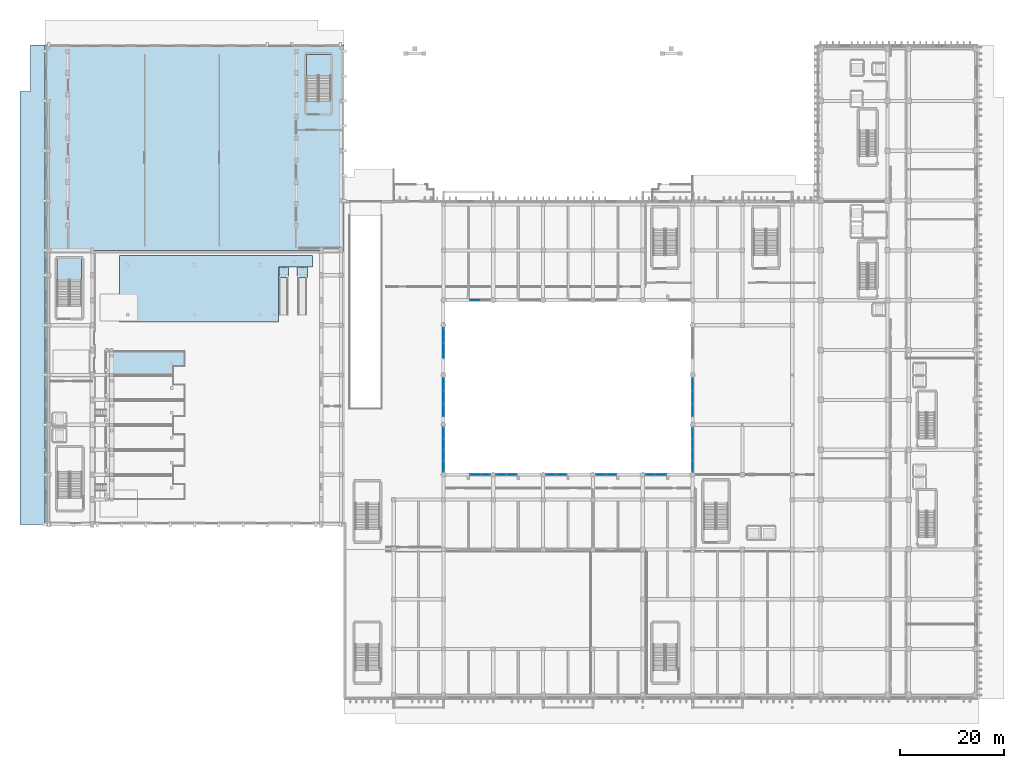
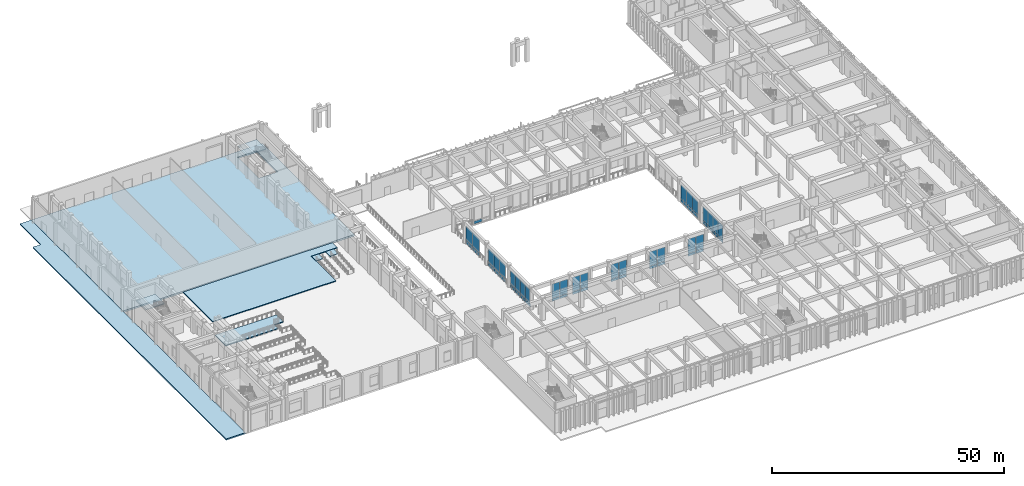
# One storey, part 38 of 87: 53 plates, 8 slabs, 15 elements without a shape of their own.
"""IFC4 building model written with IfcOpenShell, lengths in metres."""

from ifc_helpers import new_model, si_unit, direction, frame, origin, origin_2d, place, context, subcontext, project, spatial, polyline, rectangle, outline, extrude, material, layer, layer_set, type_object, element, aggregate, save


model = new_model("IFC4")

# Units and contexts
model_context = context("Model", 3, precision=1e-05, world=origin(), true_north=direction((0.0, 1.0)))
body_context = subcontext(model_context, "Body", "Model", "MODEL_VIEW")
ifc_project = project(units=[si_unit("LENGTHUNIT", "METRE"), si_unit("AREAUNIT", "SQUARE_METRE"), si_unit("VOLUMEUNIT", "CUBIC_METRE"), si_unit("PLANEANGLEUNIT", "RADIAN"), si_unit("MASSUNIT", "GRAM", prefix="KILO")], contexts=[model_context])

# Site, building, storey
site_placement = place(None, origin())
site = spatial("IfcSite", under=ifc_project, at=site_placement, CompositionType="ELEMENT")
building_placement = place(site_placement, origin())
building = spatial("IfcBuilding", under=site, at=building_placement, Name="Nakhvara Creek Congress Hotel", CompositionType="ELEMENT")
storey_placement = place(building_placement, origin())
storey = spatial("IfcBuildingStorey", under=building, at=storey_placement, Name="L00", CompositionType="ELEMENT", Elevation=0.0)

# Curtain wall, plates
ifc_material_1 = material(Name="Bronze-anodised aluminium AW-6063-T6 and double-silver low-E glass", Category="aluminium")
ifc_layer_1 = layer(ifc_material_1, 0.199951171875)
ifc_layer_set_1 = layer_set([ifc_layer_1], Name="Bronze-anodised aluminium AW-6063-T6 and double-silver low-E glass")
curtain_wall_type = type_object("IfcCurtainWallType", Name="CW-POD-STICK", PredefinedType="NOTDEFINED", material=ifc_layer_set_1)
curtain_wall_1_placement = place(storey_placement, origin())
curtain_wall_1 = element("IfcCurtainWall", 1, at=curtain_wall_1_placement, inside=storey, type_object=curtain_wall_type, Name="Curtain Wall CW001", PredefinedType="NOTDEFINED")
ifc_material_2 = material(Name="Double-silver solar-control low-E insulated glass", Category="glass")
plate_type = type_object("IfcPlateType", Name="PNL-GLZ-240X320", PredefinedType="CURTAIN_PANEL", material=ifc_material_2)
plate_1_placement = place(storey_placement, frame((82.8701171875, 43.199951171875, 0.0751953125), z_axis=(0.0, 0.0, 1.0), x_axis=(1.0, 0.0, 0.0)))
plate_1 = element("IfcPlate", 2, at=plate_1_placement, type_object=plate_type, Name="CW001 panel 1.1", PredefinedType="CURTAIN_PANEL", context=body_context, shape_type="SweptSolid", body=[
    extrude(rectangle(XDim=1.909912109375, YDim=0.031982421875, at=origin_2d()), origin(), (0.0, 0.0, 1.0), 0.737548828125),
])
plate_2_placement = place(storey_placement, frame((82.8701171875, 43.199951171875, 0.887451171875), z_axis=(0.0, 0.0, 1.0), x_axis=(1.0, 0.0, 0.0)))
plate_2 = element("IfcPlate", 3, at=plate_2_placement, type_object=plate_type, Name="CW001 panel 1.2", PredefinedType="CURTAIN_PANEL", context=body_context, shape_type="SweptSolid", body=[
    extrude(rectangle(XDim=1.909912109375, YDim=0.031982421875, at=origin_2d()), origin(), (0.0, 0.0, 1.0), 3.7294921875),
])
plate_3_placement = place(storey_placement, frame((84.85498046875, 43.199951171875, 0.0751953125), z_axis=(0.0, 0.0, 1.0), x_axis=(1.0, 0.0, 0.0)))
plate_3 = element("IfcPlate", 4, at=plate_3_placement, type_object=plate_type, Name="CW001 panel 2.1", PredefinedType="CURTAIN_PANEL", context=body_context, shape_type="SweptSolid", body=[
    extrude(rectangle(XDim=1.909912109375, YDim=0.031982421875, at=origin_2d()), origin(), (0.0, 0.0, 1.0), 0.737548828125),
])
plate_4_placement = place(storey_placement, frame((84.85498046875, 43.199951171875, 0.887451171875), z_axis=(0.0, 0.0, 1.0), x_axis=(1.0, 0.0, 0.0)))
plate_4 = element("IfcPlate", 5, at=plate_4_placement, type_object=plate_type, Name="CW001 panel 2.2", PredefinedType="CURTAIN_PANEL", context=body_context, shape_type="SweptSolid", body=[
    extrude(rectangle(XDim=1.909912109375, YDim=0.031982421875, at=origin_2d()), origin(), (0.0, 0.0, 1.0), 3.7294921875),
])
aggregate(curtain_wall_1, [plate_1, plate_2, plate_3, plate_4])

# Curtain wall, plate
curtain_wall_2_placement = place(storey_placement, origin())
curtain_wall_2 = element("IfcCurtainWall", 6, at=curtain_wall_2_placement, inside=storey, type_object=curtain_wall_type, Name="Curtain Wall CW002", PredefinedType="NOTDEFINED")
plate_5_placement = place(storey_placement, frame((82.8701171875, 76.800048828125, 0.0751953125), z_axis=(0.0, 0.0, 1.0), x_axis=(-1.0, 0.0, 0.0)))
plate_5 = element("IfcPlate", 7, at=plate_5_placement, type_object=plate_type, Name="CW002 panel 2.1", PredefinedType="CURTAIN_PANEL", context=body_context, shape_type="SweptSolid", body=[
    extrude(rectangle(XDim=1.909912109375, YDim=0.031982421875, at=origin_2d()), origin(), (0.0, 0.0, 1.0), 0.737548828125),
])
aggregate(curtain_wall_2, [plate_5])

# Curtain wall, plates
curtain_wall_3_placement = place(storey_placement, origin())
curtain_wall_3 = element("IfcCurtainWall", 8, at=curtain_wall_3_placement, inside=storey, type_object=curtain_wall_type, Name="Curtain Wall CW003", PredefinedType="NOTDEFINED")
plate_6_placement = place(storey_placement, frame((87.945068359375, 43.199951171875, 0.0751953125), z_axis=(0.0, 0.0, 1.0), x_axis=(1.0, 0.0, 0.0)))
plate_6 = element("IfcPlate", 9, at=plate_6_placement, type_object=plate_type, Name="CW003 panel 1.1", PredefinedType="CURTAIN_PANEL", context=body_context, shape_type="SweptSolid", body=[
    extrude(rectangle(XDim=1.909912109375, YDim=0.031982421875, at=origin_2d()), origin(), (0.0, 0.0, 1.0), 0.737548828125),
])
plate_7_placement = place(storey_placement, frame((87.945068359375, 43.199951171875, 0.887451171875), z_axis=(0.0, 0.0, 1.0), x_axis=(1.0, 0.0, 0.0)))
plate_7 = element("IfcPlate", 10, at=plate_7_placement, type_object=plate_type, Name="CW003 panel 1.2", PredefinedType="CURTAIN_PANEL", context=body_context, shape_type="SweptSolid", body=[
    extrude(rectangle(XDim=1.909912109375, YDim=0.031982421875, at=origin_2d()), origin(), (0.0, 0.0, 1.0), 3.7294921875),
])
plate_8_placement = place(storey_placement, frame((89.929931640625, 43.199951171875, 0.0751953125), z_axis=(0.0, 0.0, 1.0), x_axis=(1.0, 0.0, 0.0)))
plate_8 = element("IfcPlate", 11, at=plate_8_placement, type_object=plate_type, Name="CW003 panel 2.1", PredefinedType="CURTAIN_PANEL", context=body_context, shape_type="SweptSolid", body=[
    extrude(rectangle(XDim=1.909912109375, YDim=0.031982421875, at=origin_2d()), origin(), (0.0, 0.0, 1.0), 0.737548828125),
])
plate_9_placement = place(storey_placement, frame((89.929931640625, 43.199951171875, 0.887451171875), z_axis=(0.0, 0.0, 1.0), x_axis=(1.0, 0.0, 0.0)))
plate_9 = element("IfcPlate", 12, at=plate_9_placement, type_object=plate_type, Name="CW003 panel 2.2", PredefinedType="CURTAIN_PANEL", context=body_context, shape_type="SweptSolid", body=[
    extrude(rectangle(XDim=1.909912109375, YDim=0.031982421875, at=origin_2d()), origin(), (0.0, 0.0, 1.0), 3.7294921875),
])
aggregate(curtain_wall_3, [plate_6, plate_7, plate_8, plate_9])

curtain_wall_4_placement = place(storey_placement, origin())
curtain_wall_4 = element("IfcCurtainWall", 13, at=curtain_wall_4_placement, inside=storey, type_object=curtain_wall_type, Name="Curtain Wall CW005", PredefinedType="NOTDEFINED")
plate_10_placement = place(storey_placement, frame((97.544921875, 43.199951171875, 0.0751953125), z_axis=(0.0, 0.0, 1.0), x_axis=(1.0, 0.0, 0.0)))
plate_10 = element("IfcPlate", 14, at=plate_10_placement, type_object=plate_type, Name="CW005 panel 1.1", PredefinedType="CURTAIN_PANEL", context=body_context, shape_type="SweptSolid", body=[
    extrude(rectangle(XDim=1.909912109375, YDim=0.031982421875, at=origin_2d()), origin(), (0.0, 0.0, 1.0), 0.737548828125),
])
plate_11_placement = place(storey_placement, frame((97.544921875, 43.199951171875, 0.887451171875), z_axis=(0.0, 0.0, 1.0), x_axis=(1.0, 0.0, 0.0)))
plate_11 = element("IfcPlate", 15, at=plate_11_placement, type_object=plate_type, Name="CW005 panel 1.2", PredefinedType="CURTAIN_PANEL", context=body_context, shape_type="SweptSolid", body=[
    extrude(rectangle(XDim=1.909912109375, YDim=0.031982421875, at=origin_2d()), origin(), (0.0, 0.0, 1.0), 3.7294921875),
])
plate_12_placement = place(storey_placement, frame((99.530029296875, 43.199951171875, 0.0751953125), z_axis=(0.0, 0.0, 1.0), x_axis=(1.0, 0.0, 0.0)))
plate_12 = element("IfcPlate", 16, at=plate_12_placement, type_object=plate_type, Name="CW005 panel 2.1", PredefinedType="CURTAIN_PANEL", context=body_context, shape_type="SweptSolid", body=[
    extrude(rectangle(XDim=1.909912109375, YDim=0.031982421875, at=origin_2d()), origin(), (0.0, 0.0, 1.0), 0.737548828125),
])
plate_13_placement = place(storey_placement, frame((99.530029296875, 43.199951171875, 0.887451171875), z_axis=(0.0, 0.0, 1.0), x_axis=(1.0, 0.0, 0.0)))
plate_13 = element("IfcPlate", 17, at=plate_13_placement, type_object=plate_type, Name="CW005 panel 2.2", PredefinedType="CURTAIN_PANEL", context=body_context, shape_type="SweptSolid", body=[
    extrude(rectangle(XDim=1.909912109375, YDim=0.031982421875, at=origin_2d()), origin(), (0.0, 0.0, 1.0), 3.7294921875),
])
aggregate(curtain_wall_4, [plate_10, plate_11, plate_12, plate_13])

curtain_wall_5_placement = place(storey_placement, origin())
curtain_wall_5 = element("IfcCurtainWall", 18, at=curtain_wall_5_placement, inside=storey, type_object=curtain_wall_type, Name="Curtain Wall CW007", PredefinedType="NOTDEFINED")
plate_14_placement = place(storey_placement, frame((107.14501953125, 43.199951171875, 0.0751953125), z_axis=(0.0, 0.0, 1.0), x_axis=(1.0, 0.0, 0.0)))
plate_14 = element("IfcPlate", 19, at=plate_14_placement, type_object=plate_type, Name="CW007 panel 1.1", PredefinedType="CURTAIN_PANEL", context=body_context, shape_type="SweptSolid", body=[
    extrude(rectangle(XDim=1.909912109375, YDim=0.031982421875, at=origin_2d()), origin(), (0.0, 0.0, 1.0), 0.737548828125),
])
plate_15_placement = place(storey_placement, frame((107.14501953125, 43.199951171875, 0.887451171875), z_axis=(0.0, 0.0, 1.0), x_axis=(1.0, 0.0, 0.0)))
plate_15 = element("IfcPlate", 20, at=plate_15_placement, type_object=plate_type, Name="CW007 panel 1.2", PredefinedType="CURTAIN_PANEL", context=body_context, shape_type="SweptSolid", body=[
    extrude(rectangle(XDim=1.909912109375, YDim=0.031982421875, at=origin_2d()), origin(), (0.0, 0.0, 1.0), 3.7294921875),
])
plate_16_placement = place(storey_placement, frame((109.1298828125, 43.199951171875, 0.0751953125), z_axis=(0.0, 0.0, 1.0), x_axis=(1.0, 0.0, 0.0)))
plate_16 = element("IfcPlate", 21, at=plate_16_placement, type_object=plate_type, Name="CW007 panel 2.1", PredefinedType="CURTAIN_PANEL", context=body_context, shape_type="SweptSolid", body=[
    extrude(rectangle(XDim=1.909912109375, YDim=0.031982421875, at=origin_2d()), origin(), (0.0, 0.0, 1.0), 0.737548828125),
])
plate_17_placement = place(storey_placement, frame((109.1298828125, 43.199951171875, 0.887451171875), z_axis=(0.0, 0.0, 1.0), x_axis=(1.0, 0.0, 0.0)))
plate_17 = element("IfcPlate", 22, at=plate_17_placement, type_object=plate_type, Name="CW007 panel 2.2", PredefinedType="CURTAIN_PANEL", context=body_context, shape_type="SweptSolid", body=[
    extrude(rectangle(XDim=1.909912109375, YDim=0.031982421875, at=origin_2d()), origin(), (0.0, 0.0, 1.0), 3.7294921875),
])
aggregate(curtain_wall_5, [plate_14, plate_15, plate_16, plate_17])

curtain_wall_6_placement = place(storey_placement, origin())
curtain_wall_6 = element("IfcCurtainWall", 23, at=curtain_wall_6_placement, inside=storey, type_object=curtain_wall_type, Name="Curtain Wall CW009", PredefinedType="NOTDEFINED")
plate_18_placement = place(storey_placement, frame((116.7451171875, 43.199951171875, 0.0751953125), z_axis=(0.0, 0.0, 1.0), x_axis=(1.0, 0.0, 0.0)))
plate_18 = element("IfcPlate", 24, at=plate_18_placement, type_object=plate_type, Name="CW009 panel 1.1", PredefinedType="CURTAIN_PANEL", context=body_context, shape_type="SweptSolid", body=[
    extrude(rectangle(XDim=1.909912109375, YDim=0.031982421875, at=origin_2d()), origin(), (0.0, 0.0, 1.0), 0.737548828125),
])
plate_19_placement = place(storey_placement, frame((116.7451171875, 43.199951171875, 0.887451171875), z_axis=(0.0, 0.0, 1.0), x_axis=(1.0, 0.0, 0.0)))
plate_19 = element("IfcPlate", 25, at=plate_19_placement, type_object=plate_type, Name="CW009 panel 1.2", PredefinedType="CURTAIN_PANEL", context=body_context, shape_type="SweptSolid", body=[
    extrude(rectangle(XDim=1.909912109375, YDim=0.031982421875, at=origin_2d()), origin(), (0.0, 0.0, 1.0), 3.7294921875),
])
plate_20_placement = place(storey_placement, frame((118.72998046875, 43.199951171875, 0.0751953125), z_axis=(0.0, 0.0, 1.0), x_axis=(1.0, 0.0, 0.0)))
plate_20 = element("IfcPlate", 26, at=plate_20_placement, type_object=plate_type, Name="CW009 panel 2.1", PredefinedType="CURTAIN_PANEL", context=body_context, shape_type="SweptSolid", body=[
    extrude(rectangle(XDim=1.909912109375, YDim=0.031982421875, at=origin_2d()), origin(), (0.0, 0.0, 1.0), 0.737548828125),
])
plate_21_placement = place(storey_placement, frame((118.72998046875, 43.199951171875, 0.887451171875), z_axis=(0.0, 0.0, 1.0), x_axis=(1.0, 0.0, 0.0)))
plate_21 = element("IfcPlate", 27, at=plate_21_placement, type_object=plate_type, Name="CW009 panel 2.2", PredefinedType="CURTAIN_PANEL", context=body_context, shape_type="SweptSolid", body=[
    extrude(rectangle(XDim=1.909912109375, YDim=0.031982421875, at=origin_2d()), origin(), (0.0, 0.0, 1.0), 3.7294921875),
])
aggregate(curtain_wall_6, [plate_18, plate_19, plate_20, plate_21])

curtain_wall_7_placement = place(storey_placement, origin())
curtain_wall_7 = element("IfcCurtainWall", 28, at=curtain_wall_7_placement, inside=storey, type_object=curtain_wall_type, Name="Curtain Wall CW011", PredefinedType="NOTDEFINED")
plate_22_placement = place(storey_placement, frame((76.800048828125, 51.195068359375, 0.0751953125), z_axis=(0.0, 0.0, 1.0), x_axis=(0.0, -1.0, 0.0)))
plate_22 = element("IfcPlate", 29, at=plate_22_placement, type_object=plate_type, Name="CW011 panel 1.1", PredefinedType="CURTAIN_PANEL", context=body_context, shape_type="SweptSolid", body=[
    extrude(rectangle(XDim=2.030029296875, YDim=0.031982421875, at=origin_2d()), origin(), (0.0, 0.0, 1.0), 0.737548828125),
])
plate_23_placement = place(storey_placement, frame((76.800048828125, 51.195068359375, 0.887451171875), z_axis=(0.0, 0.0, 1.0), x_axis=(0.0, -1.0, 0.0)))
plate_23 = element("IfcPlate", 30, at=plate_23_placement, type_object=plate_type, Name="CW011 panel 1.2", PredefinedType="CURTAIN_PANEL", context=body_context, shape_type="SweptSolid", body=[
    extrude(rectangle(XDim=2.030029296875, YDim=0.031982421875, at=origin_2d()), origin(), (0.0, 0.0, 1.0), 3.7294921875),
])
plate_24_placement = place(storey_placement, frame((76.800048828125, 49.0712890625, 0.0751953125), z_axis=(0.0, 0.0, 1.0), x_axis=(0.0, -1.0, 0.0)))
plate_24 = element("IfcPlate", 31, at=plate_24_placement, type_object=plate_type, Name="CW011 panel 2.1", PredefinedType="CURTAIN_PANEL", context=body_context, shape_type="SweptSolid", body=[
    extrude(rectangle(XDim=2.0673828125, YDim=0.031982421875, at=origin_2d()), origin(), (0.0, 0.0, 1.0), 0.737548828125),
])
plate_25_placement = place(storey_placement, frame((76.800048828125, 49.0712890625, 0.887451171875), z_axis=(0.0, 0.0, 1.0), x_axis=(0.0, -1.0, 0.0)))
plate_25 = element("IfcPlate", 32, at=plate_25_placement, type_object=plate_type, Name="CW011 panel 2.2", PredefinedType="CURTAIN_PANEL", context=body_context, shape_type="SweptSolid", body=[
    extrude(rectangle(XDim=2.0673828125, YDim=0.031982421875, at=origin_2d()), origin(), (0.0, 0.0, 1.0), 3.7294921875),
])
plate_26_placement = place(storey_placement, frame((76.800048828125, 46.9287109375, 0.0751953125), z_axis=(0.0, 0.0, 1.0), x_axis=(0.0, -1.0, 0.0)))
plate_26 = element("IfcPlate", 33, at=plate_26_placement, type_object=plate_type, Name="CW011 panel 3.1", PredefinedType="CURTAIN_PANEL", context=body_context, shape_type="SweptSolid", body=[
    extrude(rectangle(XDim=2.0673828125, YDim=0.031982421875, at=origin_2d()), origin(), (0.0, 0.0, 1.0), 0.737548828125),
])
plate_27_placement = place(storey_placement, frame((76.800048828125, 46.9287109375, 0.887451171875), z_axis=(0.0, 0.0, 1.0), x_axis=(0.0, -1.0, 0.0)))
plate_27 = element("IfcPlate", 34, at=plate_27_placement, type_object=plate_type, Name="CW011 panel 3.2", PredefinedType="CURTAIN_PANEL", context=body_context, shape_type="SweptSolid", body=[
    extrude(rectangle(XDim=2.0673828125, YDim=0.031982421875, at=origin_2d()), origin(), (0.0, 0.0, 1.0), 3.7294921875),
])
plate_28_placement = place(storey_placement, frame((76.800048828125, 44.804931640625, 0.0751953125), z_axis=(0.0, 0.0, 1.0), x_axis=(0.0, -1.0, 0.0)))
plate_28 = element("IfcPlate", 35, at=plate_28_placement, type_object=plate_type, Name="CW011 panel 4.1", PredefinedType="CURTAIN_PANEL", context=body_context, shape_type="SweptSolid", body=[
    extrude(rectangle(XDim=2.030029296875, YDim=0.031982421875, at=origin_2d()), origin(), (0.0, 0.0, 1.0), 0.737548828125),
])
plate_29_placement = place(storey_placement, frame((76.800048828125, 44.804931640625, 0.887451171875), z_axis=(0.0, 0.0, 1.0), x_axis=(0.0, -1.0, 0.0)))
plate_29 = element("IfcPlate", 36, at=plate_29_placement, type_object=plate_type, Name="CW011 panel 4.2", PredefinedType="CURTAIN_PANEL", context=body_context, shape_type="SweptSolid", body=[
    extrude(rectangle(XDim=2.030029296875, YDim=0.031982421875, at=origin_2d()), origin(), (0.0, 0.0, 1.0), 3.7294921875),
])
aggregate(curtain_wall_7, [plate_22, plate_23, plate_24, plate_25, plate_26, plate_27, plate_28, plate_29])

curtain_wall_8_placement = place(storey_placement, origin())
curtain_wall_8 = element("IfcCurtainWall", 37, at=curtain_wall_8_placement, inside=storey, type_object=curtain_wall_type, Name="Curtain Wall CW012", PredefinedType="NOTDEFINED")
plate_30_placement = place(storey_placement, frame((124.800048828125, 44.804931640625, 0.0751953125), z_axis=(0.0, 0.0, 1.0), x_axis=(0.0, 1.0, 0.0)))
plate_30 = element("IfcPlate", 38, at=plate_30_placement, type_object=plate_type, Name="CW012 panel 1.1", PredefinedType="CURTAIN_PANEL", context=body_context, shape_type="SweptSolid", body=[
    extrude(rectangle(XDim=2.030029296875, YDim=0.031982421875, at=origin_2d()), origin(), (0.0, 0.0, 1.0), 0.737548828125),
])
plate_31_placement = place(storey_placement, frame((124.800048828125, 44.804931640625, 0.887451171875), z_axis=(0.0, 0.0, 1.0), x_axis=(0.0, 1.0, 0.0)))
plate_31 = element("IfcPlate", 39, at=plate_31_placement, type_object=plate_type, Name="CW012 panel 1.2", PredefinedType="CURTAIN_PANEL", context=body_context, shape_type="SweptSolid", body=[
    extrude(rectangle(XDim=2.030029296875, YDim=0.031982421875, at=origin_2d()), origin(), (0.0, 0.0, 1.0), 3.7294921875),
])
plate_32_placement = place(storey_placement, frame((124.800048828125, 46.9287109375, 0.0751953125), z_axis=(0.0, 0.0, 1.0), x_axis=(0.0, 1.0, 0.0)))
plate_32 = element("IfcPlate", 40, at=plate_32_placement, type_object=plate_type, Name="CW012 panel 2.1", PredefinedType="CURTAIN_PANEL", context=body_context, shape_type="SweptSolid", body=[
    extrude(rectangle(XDim=2.0673828125, YDim=0.031982421875, at=origin_2d()), origin(), (0.0, 0.0, 1.0), 0.737548828125),
])
plate_33_placement = place(storey_placement, frame((124.800048828125, 46.9287109375, 0.887451171875), z_axis=(0.0, 0.0, 1.0), x_axis=(0.0, 1.0, 0.0)))
plate_33 = element("IfcPlate", 41, at=plate_33_placement, type_object=plate_type, Name="CW012 panel 2.2", PredefinedType="CURTAIN_PANEL", context=body_context, shape_type="SweptSolid", body=[
    extrude(rectangle(XDim=2.0673828125, YDim=0.031982421875, at=origin_2d()), origin(), (0.0, 0.0, 1.0), 3.7294921875),
])
plate_34_placement = place(storey_placement, frame((124.800048828125, 49.0712890625, 0.0751953125), z_axis=(0.0, 0.0, 1.0), x_axis=(0.0, 1.0, 0.0)))
plate_34 = element("IfcPlate", 42, at=plate_34_placement, type_object=plate_type, Name="CW012 panel 3.1", PredefinedType="CURTAIN_PANEL", context=body_context, shape_type="SweptSolid", body=[
    extrude(rectangle(XDim=2.0673828125, YDim=0.031982421875, at=origin_2d()), origin(), (0.0, 0.0, 1.0), 0.737548828125),
])
plate_35_placement = place(storey_placement, frame((124.800048828125, 49.0712890625, 0.887451171875), z_axis=(0.0, 0.0, 1.0), x_axis=(0.0, 1.0, 0.0)))
plate_35 = element("IfcPlate", 43, at=plate_35_placement, type_object=plate_type, Name="CW012 panel 3.2", PredefinedType="CURTAIN_PANEL", context=body_context, shape_type="SweptSolid", body=[
    extrude(rectangle(XDim=2.0673828125, YDim=0.031982421875, at=origin_2d()), origin(), (0.0, 0.0, 1.0), 3.7294921875),
])
plate_36_placement = place(storey_placement, frame((124.800048828125, 51.195068359375, 0.0751953125), z_axis=(0.0, 0.0, 1.0), x_axis=(0.0, 1.0, 0.0)))
plate_36 = element("IfcPlate", 44, at=plate_36_placement, type_object=plate_type, Name="CW012 panel 4.1", PredefinedType="CURTAIN_PANEL", context=body_context, shape_type="SweptSolid", body=[
    extrude(rectangle(XDim=2.030029296875, YDim=0.031982421875, at=origin_2d()), origin(), (0.0, 0.0, 1.0), 0.737548828125),
])
plate_37_placement = place(storey_placement, frame((124.800048828125, 51.195068359375, 0.887451171875), z_axis=(0.0, 0.0, 1.0), x_axis=(0.0, 1.0, 0.0)))
plate_37 = element("IfcPlate", 45, at=plate_37_placement, type_object=plate_type, Name="CW012 panel 4.2", PredefinedType="CURTAIN_PANEL", context=body_context, shape_type="SweptSolid", body=[
    extrude(rectangle(XDim=2.030029296875, YDim=0.031982421875, at=origin_2d()), origin(), (0.0, 0.0, 1.0), 3.7294921875),
])
aggregate(curtain_wall_8, [plate_30, plate_31, plate_32, plate_33, plate_34, plate_35, plate_36, plate_37])

curtain_wall_9_placement = place(storey_placement, origin())
curtain_wall_9 = element("IfcCurtainWall", 46, at=curtain_wall_9_placement, inside=storey, type_object=curtain_wall_type, Name="Curtain Wall CW013", PredefinedType="NOTDEFINED")
plate_38_placement = place(storey_placement, frame((76.800048828125, 60.61865234375, 0.0751953125), z_axis=(0.0, 0.0, 1.0), x_axis=(0.0, -1.0, 0.0)))
plate_38 = element("IfcPlate", 47, at=plate_38_placement, type_object=plate_type, Name="CW013 panel 1.1", PredefinedType="CURTAIN_PANEL", context=body_context, shape_type="SweptSolid", body=[
    extrude(rectangle(XDim=2.382568359375, YDim=0.031982421875, at=origin_2d()), origin(), (0.0, 0.0, 1.0), 0.737548828125),
])
plate_39_placement = place(storey_placement, frame((76.800048828125, 60.61865234375, 0.887451171875), z_axis=(0.0, 0.0, 1.0), x_axis=(0.0, -1.0, 0.0)))
plate_39 = element("IfcPlate", 48, at=plate_39_placement, type_object=plate_type, Name="CW013 panel 1.2", PredefinedType="CURTAIN_PANEL", context=body_context, shape_type="SweptSolid", body=[
    extrude(rectangle(XDim=2.382568359375, YDim=0.031982421875, at=origin_2d()), origin(), (0.0, 0.0, 1.0), 3.7294921875),
])
plate_40_placement = place(storey_placement, frame((76.800048828125, 58.142578125, 0.0751953125), z_axis=(0.0, 0.0, 1.0), x_axis=(0.0, -1.0, 0.0)))
plate_40 = element("IfcPlate", 49, at=plate_40_placement, type_object=plate_type, Name="CW013 panel 2.1", PredefinedType="CURTAIN_PANEL", context=body_context, shape_type="SweptSolid", body=[
    extrude(rectangle(XDim=2.419921875, YDim=0.031982421875, at=origin_2d()), origin(), (0.0, 0.0, 1.0), 0.737548828125),
])
plate_41_placement = place(storey_placement, frame((76.800048828125, 58.142578125, 0.887451171875), z_axis=(0.0, 0.0, 1.0), x_axis=(0.0, -1.0, 0.0)))
plate_41 = element("IfcPlate", 50, at=plate_41_placement, type_object=plate_type, Name="CW013 panel 2.2", PredefinedType="CURTAIN_PANEL", context=body_context, shape_type="SweptSolid", body=[
    extrude(rectangle(XDim=2.419921875, YDim=0.031982421875, at=origin_2d()), origin(), (0.0, 0.0, 1.0), 3.7294921875),
])
plate_42_placement = place(storey_placement, frame((76.800048828125, 55.666259765625, 0.0751953125), z_axis=(0.0, 0.0, 1.0), x_axis=(0.0, -1.0, 0.0)))
plate_42 = element("IfcPlate", 51, at=plate_42_placement, type_object=plate_type, Name="CW013 panel 3.1", PredefinedType="CURTAIN_PANEL", context=body_context, shape_type="SweptSolid", body=[
    extrude(rectangle(XDim=2.382568359375, YDim=0.031982421875, at=origin_2d()), origin(), (0.0, 0.0, 1.0), 0.737548828125),
])
plate_43_placement = place(storey_placement, frame((76.800048828125, 55.666259765625, 0.887451171875), z_axis=(0.0, 0.0, 1.0), x_axis=(0.0, -1.0, 0.0)))
plate_43 = element("IfcPlate", 52, at=plate_43_placement, type_object=plate_type, Name="CW013 panel 3.2", PredefinedType="CURTAIN_PANEL", context=body_context, shape_type="SweptSolid", body=[
    extrude(rectangle(XDim=2.382568359375, YDim=0.031982421875, at=origin_2d()), origin(), (0.0, 0.0, 1.0), 3.7294921875),
])
aggregate(curtain_wall_9, [plate_38, plate_39, plate_40, plate_41, plate_42, plate_43])

curtain_wall_10_placement = place(storey_placement, origin())
curtain_wall_10 = element("IfcCurtainWall", 53, at=curtain_wall_10_placement, inside=storey, type_object=curtain_wall_type, Name="Curtain Wall CW014", PredefinedType="NOTDEFINED")
plate_44_placement = place(storey_placement, frame((124.800048828125, 55.666259765625, 0.0751953125), z_axis=(0.0, 0.0, 1.0), x_axis=(0.0, 1.0, 0.0)))
plate_44 = element("IfcPlate", 54, at=plate_44_placement, type_object=plate_type, Name="CW014 panel 1.1", PredefinedType="CURTAIN_PANEL", context=body_context, shape_type="SweptSolid", body=[
    extrude(rectangle(XDim=2.382568359375, YDim=0.031982421875, at=origin_2d()), origin(), (0.0, 0.0, 1.0), 0.737548828125),
])
plate_45_placement = place(storey_placement, frame((124.800048828125, 55.666259765625, 0.887451171875), z_axis=(0.0, 0.0, 1.0), x_axis=(0.0, 1.0, 0.0)))
plate_45 = element("IfcPlate", 55, at=plate_45_placement, type_object=plate_type, Name="CW014 panel 1.2", PredefinedType="CURTAIN_PANEL", context=body_context, shape_type="SweptSolid", body=[
    extrude(rectangle(XDim=2.382568359375, YDim=0.031982421875, at=origin_2d()), origin(), (0.0, 0.0, 1.0), 3.7294921875),
])
plate_46_placement = place(storey_placement, frame((124.800048828125, 58.142578125, 0.0751953125), z_axis=(0.0, 0.0, 1.0), x_axis=(0.0, 1.0, 0.0)))
plate_46 = element("IfcPlate", 56, at=plate_46_placement, type_object=plate_type, Name="CW014 panel 2.1", PredefinedType="CURTAIN_PANEL", context=body_context, shape_type="SweptSolid", body=[
    extrude(rectangle(XDim=2.419921875, YDim=0.031982421875, at=origin_2d()), origin(), (0.0, 0.0, 1.0), 0.737548828125),
])
plate_47_placement = place(storey_placement, frame((124.800048828125, 58.142578125, 0.887451171875), z_axis=(0.0, 0.0, 1.0), x_axis=(0.0, 1.0, 0.0)))
plate_47 = element("IfcPlate", 57, at=plate_47_placement, type_object=plate_type, Name="CW014 panel 2.2", PredefinedType="CURTAIN_PANEL", context=body_context, shape_type="SweptSolid", body=[
    extrude(rectangle(XDim=2.419921875, YDim=0.031982421875, at=origin_2d()), origin(), (0.0, 0.0, 1.0), 3.7294921875),
])
plate_48_placement = place(storey_placement, frame((124.800048828125, 60.61865234375, 0.0751953125), z_axis=(0.0, 0.0, 1.0), x_axis=(0.0, 1.0, 0.0)))
plate_48 = element("IfcPlate", 58, at=plate_48_placement, type_object=plate_type, Name="CW014 panel 3.1", PredefinedType="CURTAIN_PANEL", context=body_context, shape_type="SweptSolid", body=[
    extrude(rectangle(XDim=2.382568359375, YDim=0.031982421875, at=origin_2d()), origin(), (0.0, 0.0, 1.0), 0.737548828125),
])
plate_49_placement = place(storey_placement, frame((124.800048828125, 60.61865234375, 0.887451171875), z_axis=(0.0, 0.0, 1.0), x_axis=(0.0, 1.0, 0.0)))
plate_49 = element("IfcPlate", 59, at=plate_49_placement, type_object=plate_type, Name="CW014 panel 3.2", PredefinedType="CURTAIN_PANEL", context=body_context, shape_type="SweptSolid", body=[
    extrude(rectangle(XDim=2.382568359375, YDim=0.031982421875, at=origin_2d()), origin(), (0.0, 0.0, 1.0), 3.7294921875),
])
aggregate(curtain_wall_10, [plate_44, plate_45, plate_46, plate_47, plate_48, plate_49])

curtain_wall_11_placement = place(storey_placement, origin())
curtain_wall_11 = element("IfcCurtainWall", 60, at=curtain_wall_11_placement, inside=storey, type_object=curtain_wall_type, Name="Curtain Wall CW015", PredefinedType="NOTDEFINED")
plate_50_placement = place(storey_placement, frame((76.800048828125, 69.9951171875, 0.0751953125), z_axis=(0.0, 0.0, 1.0), x_axis=(0.0, -1.0, 0.0)))
plate_50 = element("IfcPlate", 61, at=plate_50_placement, type_object=plate_type, Name="CW015 panel 1.1", PredefinedType="CURTAIN_PANEL", context=body_context, shape_type="SweptSolid", body=[
    extrude(rectangle(XDim=2.830078125, YDim=0.031982421875, at=origin_2d()), origin(), (0.0, 0.0, 1.0), 0.737548828125),
])
plate_51_placement = place(storey_placement, frame((76.800048828125, 69.9951171875, 0.887451171875), z_axis=(0.0, 0.0, 1.0), x_axis=(0.0, -1.0, 0.0)))
plate_51 = element("IfcPlate", 62, at=plate_51_placement, type_object=plate_type, Name="CW015 panel 1.2", PredefinedType="CURTAIN_PANEL", context=body_context, shape_type="SweptSolid", body=[
    extrude(rectangle(XDim=2.830078125, YDim=0.031982421875, at=origin_2d()), origin(), (0.0, 0.0, 1.0), 3.7294921875),
])
plate_52_placement = place(storey_placement, frame((76.800048828125, 67.090087890625, 0.0751953125), z_axis=(0.0, 0.0, 1.0), x_axis=(0.0, -1.0, 0.0)))
plate_52 = element("IfcPlate", 63, at=plate_52_placement, type_object=plate_type, Name="CW015 panel 2.1", PredefinedType="CURTAIN_PANEL", context=body_context, shape_type="SweptSolid", body=[
    extrude(rectangle(XDim=2.830078125, YDim=0.031982421875, at=origin_2d()), origin(), (0.0, 0.0, 1.0), 0.737548828125),
])
plate_53_placement = place(storey_placement, frame((76.800048828125, 67.090087890625, 0.887451171875), z_axis=(0.0, 0.0, 1.0), x_axis=(0.0, -1.0, 0.0)))
plate_53 = element("IfcPlate", 64, at=plate_53_placement, type_object=plate_type, Name="CW015 panel 2.2", PredefinedType="CURTAIN_PANEL", context=body_context, shape_type="SweptSolid", body=[
    extrude(rectangle(XDim=2.830078125, YDim=0.031982421875, at=origin_2d()), origin(), (0.0, 0.0, 1.0), 3.7294921875),
])
aggregate(curtain_wall_11, [plate_50, plate_51, plate_52, plate_53])

# Slabs
ifc_material_3 = material(Name="Concrete C40/50", Category="concrete")
ifc_layer_2 = layer(ifc_material_3, 0.320068359375)
ifc_layer_set_2 = layer_set([ifc_layer_2], Name="Concrete C40/50")
slab_type_1 = type_object("IfcSlabType", Name="SL-EXT-320", PredefinedType="FLOOR", material=ifc_layer_set_2)
slab_1_placement = place(storey_placement, frame((0.0, 0.0, -0.320068359375)))
element("IfcSlab", 65, at=slab_1_placement, inside=storey, type_object=slab_type_1, Name="Outdoor Terrace Slab SLB-L00-APRON-W", PredefinedType="FLOOR", context=body_context, shape_type="SweptSolid", body=[
    extrude(outline(polyline([(-4.800048828125, 33.60009765625), (0.0, 33.60009765625), (0.0, 126.0), (-2.800048828125, 126.0), (-2.800048828125, 117.0), (-4.800048828125, 117.0), (-4.800048828125, 33.60009765625)])), origin(), (0.0, 0.0, 1.0), 0.320068359375),
])
ifc_layer_3 = layer(ifc_material_3, 0.219970703125)
ifc_layer_set_3 = layer_set([ifc_layer_3], Name="Concrete C40/50")
slab_type_2 = type_object("IfcSlabType", Name="SL-FLR-220", PredefinedType="FLOOR", material=ifc_layer_set_3)
slab_2_placement = place(storey_placement, frame((0.0, 0.0, 0.3798828125)))
element("IfcSlab", 66, at=slab_2_placement, inside=storey, type_object=slab_type_2, Name="Congress Main Stage Platform", PredefinedType="FLOOR", context=body_context, shape_type="SweptSolid", body=[
    extrude(outline(polyline([(14.39990234375, 72.60009765625), (45.050048828125, 72.60009765625), (45.050048828125, 83.25), (51.60009765625, 83.25), (51.60009765625, 85.39990234375), (14.39990234375, 85.39990234375), (14.39990234375, 72.60009765625)])), origin(), (0.0, 0.0, 1.0), 0.22021484375),
])
ifc_layer_4 = layer(ifc_material_3, 0.419921875)
ifc_layer_set_4 = layer_set([ifc_layer_4], Name="Concrete C40/50")
slab_type_3 = type_object("IfcSlabType", Name="SL-FLR-420", PredefinedType="FLOOR", material=ifc_layer_set_4)
slab_3_placement = place(storey_placement, frame((0.0, 0.0, -0.419921875)))
element("IfcSlab", 67, at=slab_3_placement, inside=storey, type_object=slab_type_3, Name="Structural Slab SLB-L00-V2", PredefinedType="FLOOR", context=body_context, shape_type="SweptSolid", body=[
    extrude(outline(polyline([(0.0, 126.0), (57.60009765625, 126.0), (57.60009765625, 86.39990234375), (0.0, 86.39990234375), (0.0, 126.0)]), holes=[polyline([(55.080078125, 115.080078125), (55.080078125, 124.199951171875), (50.3701171875, 124.199951171875), (50.3701171875, 115.080078125), (55.080078125, 115.080078125)])]), origin(), (0.0, 0.0, 1.0), 0.419921875),
])

# Stair, slab
stair_type = type_object("IfcStairType", Name="ST-CORE-230", PredefinedType="HALF_TURN_STAIR", material=ifc_material_3)
stair_1_placement = place(storey_placement, origin())
stair_1 = element("IfcStair", 68, at=stair_1_placement, inside=storey, type_object=stair_type, Name="L00 Protected Exit Stair ST07", PredefinedType="HALF_TURN_STAIR")
ifc_layer_5 = layer(ifc_material_3, 0.199951171875)
ifc_layer_set_5 = layer_set([ifc_layer_5], Name="Concrete C40/50")
slab_type_4 = type_object("IfcSlabType", Name="SL-LAND-200", PredefinedType="LANDING", material=ifc_layer_set_5)
slab_4_placement = place(storey_placement, frame((0.0, 0.0, 2.800048828125)))
slab_4 = element("IfcSlab", 69, at=slab_4_placement, type_object=slab_type_4, Name="ST07 landing 1", PredefinedType="LANDING", context=body_context, shape_type="SweptSolid", body=[
    extrude(outline(polyline([(7.080078125, 80.719970703125), (7.080078125, 84.800048828125), (2.3701171875, 84.800048828125), (2.3701171875, 80.719970703125), (7.080078125, 80.719970703125)])), origin(), (0.0, 0.0, 1.0), 0.199951171875),
])
aggregate(stair_1, [slab_4])

stair_2_placement = place(storey_placement, origin())
stair_2 = element("IfcStair", 70, at=stair_2_placement, inside=storey, type_object=stair_type, Name="L00 Protected Exit Stair ST08", PredefinedType="HALF_TURN_STAIR")
slab_5_placement = place(storey_placement, frame((0.0, 0.0, 2.800048828125)))
slab_5 = element("IfcSlab", 71, at=slab_5_placement, type_object=slab_type_4, Name="ST08 landing 1", PredefinedType="LANDING", context=body_context, shape_type="SweptSolid", body=[
    extrude(outline(polyline([(55.080078125, 120.1201171875), (55.080078125, 124.199951171875), (50.3701171875, 124.199951171875), (50.3701171875, 120.1201171875), (55.080078125, 120.1201171875)])), origin(), (0.0, 0.0, 1.0), 0.199951171875),
])
aggregate(stair_2, [slab_5])

# Ramp, slab
ramp_type = type_object("IfcRampType", Name="RMP-PED-180", PredefinedType="STRAIGHT_RUN_RAMP", material=ifc_material_3)
ramp_1_placement = place(storey_placement, origin())
ramp_1 = element("IfcRamp", 72, at=ramp_1_placement, inside=storey, type_object=ramp_type, Name="Accessible Pedestrian Ramp PR03", PredefinedType="STRAIGHT_RUN_RAMP")
ifc_layer_6 = layer(ifc_material_3, 0.2099609375)
ifc_layer_set_6 = layer_set([ifc_layer_6], Name="Concrete C40/50")
slab_type_5 = type_object("IfcSlabType", Name="SL-LAND-210", PredefinedType="LANDING", material=ifc_layer_set_6)
slab_6_placement = place(storey_placement, frame((0.0, 0.0, 0.3798828125)))
slab_6 = element("IfcSlab", 73, at=slab_6_placement, type_object=slab_type_5, Name="Accessible Ramp Landing PR03", PredefinedType="LANDING", context=body_context, shape_type="SweptSolid", body=[
    extrude(outline(polyline([(45.10009765625, 81.199951171875), (46.89990234375, 81.199951171875), (46.89990234375, 83.199951171875), (45.10009765625, 83.199951171875), (45.10009765625, 81.199951171875)])), origin(), (0.0, 0.0, 1.0), 0.22021484375),
])
aggregate(ramp_1, [slab_6])

ramp_2_placement = place(storey_placement, origin())
ramp_2 = element("IfcRamp", 74, at=ramp_2_placement, inside=storey, type_object=ramp_type, Name="Accessible Pedestrian Ramp PR05", PredefinedType="STRAIGHT_RUN_RAMP")
slab_7_placement = place(storey_placement, frame((0.0, 0.0, 0.3798828125)))
slab_7 = element("IfcSlab", 75, at=slab_7_placement, type_object=slab_type_5, Name="Accessible Ramp Landing PR05", PredefinedType="LANDING", context=body_context, shape_type="SweptSolid", body=[
    extrude(outline(polyline([(48.60009765625, 81.199951171875), (50.60009765625, 81.199951171875), (50.60009765625, 83.199951171875), (48.60009765625, 83.199951171875), (48.60009765625, 81.199951171875)])), origin(), (0.0, 0.0, 1.0), 0.22021484375),
])
aggregate(ramp_2, [slab_7])

# Slab
ifc_material_4 = material(Name="Precast concrete C40/50", Category="concrete")
ifc_layer_7 = layer(ifc_material_4, 0.18994140625)
ifc_layer_set_7 = layer_set([ifc_layer_7], Name="Precast concrete C40/50")
slab_type_6 = type_object("IfcSlabType", Name="SL-TIER-190", PredefinedType="USERDEFINED", material=ifc_layer_set_7)
slab_8_placement = place(storey_placement, frame((0.0, 0.0, 1.159912109375)))
element("IfcSlab", 76, at=slab_8_placement, inside=storey, type_object=slab_type_6, Name="Stand Lower Tier Bay 6", ObjectType="SEATING TIER", PredefinedType="USERDEFINED", context=body_context, shape_type="SweptSolid", body=[
    extrude(outline(polyline([(11.75, 62.39990234375), (24.800048828125, 62.39990234375), (24.800048828125, 64.0), (27.0, 64.0), (27.0, 67.0), (11.75, 67.0), (11.75, 62.39990234375)])), origin(), (0.0, 0.0, 1.0), 0.190185546875),
])

save(model, "model.ifc")
